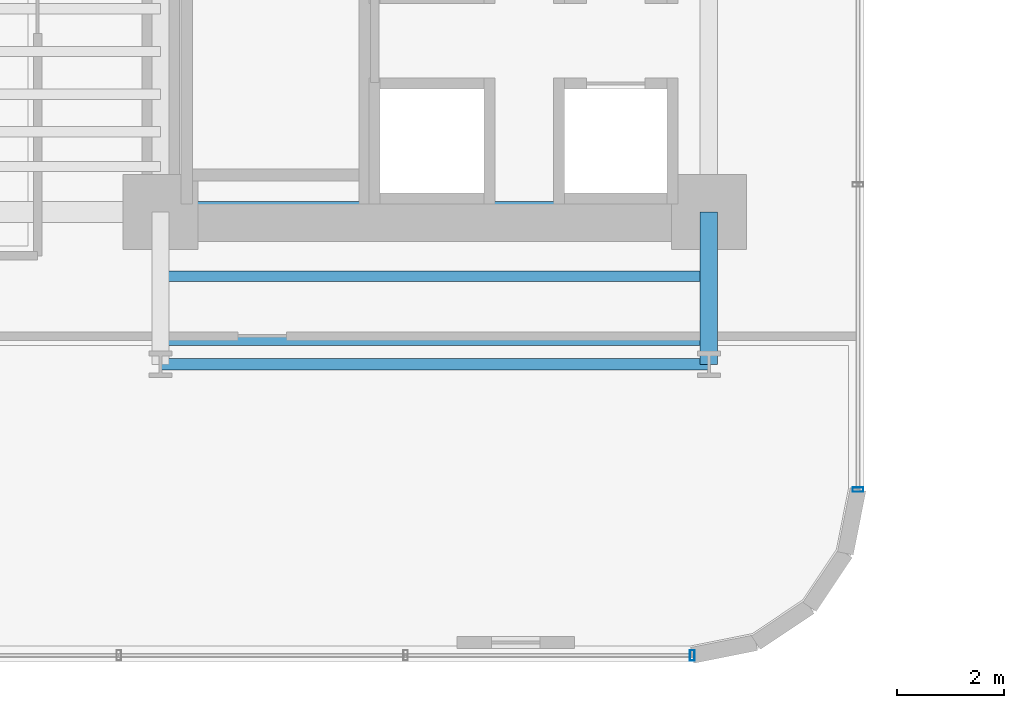
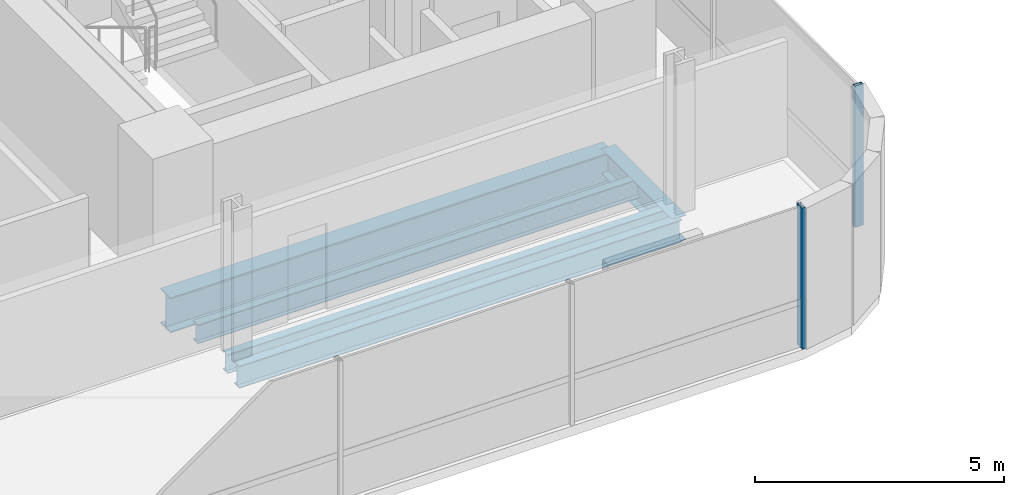
# One storey, part 5 of 40: 5 beams, 2 members, 2 elements without a shape of their own.
"""IFC4 building model written with IfcOpenShell, lengths in metres."""

from ifc_helpers import new_model, si_unit, direction, frame, origin, origin_2d, place, context, subcontext, project, spatial, hollow_rectangle, i_section, extrude, source, transform, mapped, material, material_profile, profile_set, type_object, element, aggregate, save


model = new_model("IFC4")

# Units and contexts
model_context = context("Model", 3, precision=1e-05, world=origin(), true_north=direction((0.0, 1.0)))
body_context = subcontext(model_context, "Body", "Model", "MODEL_VIEW")
ifc_project = project(units=[si_unit("LENGTHUNIT", "METRE"), si_unit("AREAUNIT", "SQUARE_METRE"), si_unit("VOLUMEUNIT", "CUBIC_METRE"), si_unit("PLANEANGLEUNIT", "RADIAN"), si_unit("MASSUNIT", "GRAM", prefix="KILO")], contexts=[model_context])

# Site, building, storey
site_placement = place(None, origin())
site = spatial("IfcSite", under=ifc_project, at=site_placement, CompositionType="ELEMENT")
building_placement = place(site_placement, origin())
building = spatial("IfcBuilding", under=site, at=building_placement, Name="Valdorenza Pilgrim Sanctuary Tower", CompositionType="ELEMENT")
storey_placement = place(building_placement, frame((0.0, 0.0, 51.89990234375)))
storey = spatial("IfcBuildingStorey", under=building, at=storey_placement, Name="L12", CompositionType="ELEMENT", Elevation=51.89990234375)

# Beams
ifc_material_1 = material(Name="Steel ASTM A992 Grade 50", Category="steel")
ifc_material_profile_1 = material_profile(ifc_material_1, i_section(OverallWidth=0.214111328125, OverallDepth=0.549072265625, WebThickness=0.0146484375, FlangeThickness=0.023681640625, at=origin_2d()), Name="W21X93")
ifc_profile_set_1 = profile_set([ifc_material_profile_1], Name="Steel ASTM A992 Grade 50")
beam_type_1 = type_object("IfcBeamType", Name="STR-BM-SPN-W21A", PredefinedType="SPANDREL", material=ifc_profile_set_1)
shared_shape_1 = source(origin(), body_context, "Body", "SweptSolid", [
    extrude(i_section(OverallWidth=0.214111328125, OverallDepth=0.549072265625, WebThickness=0.0146484375, FlangeThickness=0.023681640625, at=origin_2d()), origin(), (0.0, 0.0, 1.0), 10.25),
])
beam_1_placement = place(storey_placement, frame((-22.64990234375, -13.449951171875, -0.514404296875), z_axis=(1.0, 0.0, 0.0), x_axis=(0.0, 1.0, 0.0)))
element("IfcBeam", 1, at=beam_1_placement, inside=storey, type_object=beam_type_1, Name="L12 South Spandrel WA-S-TIE", PredefinedType="SPANDREL", context=body_context, shape_type="MappedRepresentation", body=[
    mapped(shared_shape_1, transform((0.0, 0.0, 0.0), x_axis=(1.0, 0.0, 0.0), y_axis=(0.0, 1.0, 0.0), z_axis=(0.0, 0.0, 1.0), scale=1.0)),
])
ifc_material_profile_2 = material_profile(ifc_material_1, i_section(OverallWidth=0.323974609375, OverallDepth=0.611083984375, WebThickness=0.0126953125, FlangeThickness=0.01904296875, at=origin_2d()), Name="W24X104")
ifc_profile_set_2 = profile_set([ifc_material_profile_2], Name="Steel ASTM A992 Grade 50")
beam_type_2 = type_object("IfcBeamType", Name="STR-BM-GRD-W24B", PredefinedType="BEAM", material=ifc_profile_set_2)
shared_shape_2 = source(origin(), body_context, "Body", "SweptSolid", [
    extrude(i_section(OverallWidth=0.323974609375, OverallDepth=0.611083984375, WebThickness=0.0126953125, FlangeThickness=0.01904296875, at=origin_2d()), origin(), (0.0, 0.0, 1.0), 2.849853515625),
])
beam_2_placement = place(storey_placement, frame((-12.39990234375, -13.449951171875, -0.54541015625), z_axis=(0.0, 1.0, 0.0), x_axis=(-1.0, 0.0, 0.0)))
element("IfcBeam", 2, at=beam_2_placement, inside=storey, type_object=beam_type_2, Name="L12 Floor Girder WA-S-LE", PredefinedType="BEAM", context=body_context, shape_type="MappedRepresentation", body=[
    mapped(shared_shape_2, transform((0.0, 0.0, 0.0), x_axis=(1.0, 0.0, 0.0), y_axis=(0.0, 1.0, 0.0), z_axis=(0.0, 0.0, 1.0), scale=1.0)),
])
ifc_material_profile_3 = material_profile(ifc_material_1, i_section(OverallWidth=0.193115234375, OverallDepth=0.466064453125, WebThickness=0.011474609375, FlangeThickness=0.01904296875, at=origin_2d()), Name="W18X65")
ifc_profile_set_3 = profile_set([ifc_material_profile_3], Name="Steel ASTM A992 Grade 50")
beam_type_3 = type_object("IfcBeamType", Name="STR-BM-JST-W18A", PredefinedType="JOIST", material=ifc_profile_set_3)
shared_shape_3 = source(origin(), body_context, "Body", "SweptSolid", [
    extrude(i_section(OverallWidth=0.193115234375, OverallDepth=0.466064453125, WebThickness=0.011474609375, FlangeThickness=0.01904296875, at=origin_2d()), origin(), (0.0, 0.0, 1.0), 10.25),
])
for number, where, z_axis, x_axis, name in (
    (3, (-22.64990234375, -13.0, -0.472900390625), (1.0, 0.0, 0.0), (0.0, 1.0, 0.0), "L12 Composite Floor Joist JST-WAS-1"),
    (4, (-22.64990234375, -11.800048828125, -0.472900390625), (1.0, 0.0, 0.0), (0.0, 1.0, 0.0), "L12 Composite Floor Joist JST-WAS-2"),
):
    element("IfcBeam", number, at=place(storey_placement, frame(where, z_axis=z_axis, x_axis=x_axis)), inside=storey, type_object=beam_type_3, Name=name, PredefinedType="JOIST", context=body_context, shape_type="MappedRepresentation", body=[
        mapped(shared_shape_3, transform((0.0, 0.0, 0.0), x_axis=(1.0, 0.0, 0.0), y_axis=(0.0, 1.0, 0.0), z_axis=(0.0, 0.0, 1.0), scale=1.0)),
    ])
ifc_material_profile_4 = material_profile(ifc_material_1, i_section(OverallWidth=0.39990234375, OverallDepth=0.862060546875, WebThickness=0.019775390625, FlangeThickness=0.032470703125, at=origin_2d()), Name="W33X221")
ifc_profile_set_4 = profile_set([ifc_material_profile_4], Name="Steel ASTM A992 Grade 50")
beam_type_4 = type_object("IfcBeamType", Name="STR-BM-GRD-W33", PredefinedType="BEAM", material=ifc_profile_set_4)
shared_shape_4 = source(origin(), body_context, "Body", "SweptSolid", [
    extrude(i_section(OverallWidth=0.39990234375, OverallDepth=0.862060546875, WebThickness=0.019775390625, FlangeThickness=0.032470703125, at=origin_2d()), origin(), (0.0, 0.0, 1.0), 10.25),
])
beam_3_placement = place(storey_placement, frame((-22.64990234375, -10.60009765625, -0.6708984375), z_axis=(1.0, 0.0, 0.0), x_axis=(0.0, 1.0, 0.0)))
element("IfcBeam", 5, at=beam_3_placement, inside=storey, type_object=beam_type_4, Name="L12 Floor Girder CA-XC-S1", PredefinedType="BEAM", context=body_context, shape_type="MappedRepresentation", body=[
    mapped(shared_shape_4, transform((0.0, 0.0, 0.0), x_axis=(1.0, 0.0, 0.0), y_axis=(0.0, 1.0, 0.0), z_axis=(0.0, 0.0, 1.0), scale=1.0)),
])

# Curtain wall, member
ifc_material_2 = material(Name="Curtain-wall IGU glazing", Category="glass")
curtain_wall_type = type_object("IfcCurtainWallType", Name="CW-SYS-02", PredefinedType="NOTDEFINED", material=ifc_material_2)
curtain_wall_1_placement = place(storey_placement, origin())
curtain_wall_1 = element("IfcCurtainWall", 6, at=curtain_wall_1_placement, inside=storey, type_object=curtain_wall_type, Name="L12 Curtain Wall CW-L12-1-41", PredefinedType="NOTDEFINED")
ifc_material_3 = material(Name="Anodised aluminium AW-6060", Category="aluminium")
ifc_material_profile_5 = material_profile(ifc_material_3, hollow_rectangle(XDim=0.0849609375, YDim=0.199951171875, WallThickness=0.0048828125, at=origin_2d()), Name="ALU-M 200x85x5")
ifc_profile_set_5 = profile_set([ifc_material_profile_5], Name="Anodised aluminium AW-6060")
member_type = type_object("IfcMemberType", Name="CW-MUL-02", PredefinedType="MULLION", material=ifc_profile_set_5)
shared_shape_5 = source(origin(), body_context, "Body", "SweptSolid", [
    extrude(hollow_rectangle(XDim=0.0849609375, YDim=0.199951171875, WallThickness=0.0048828125, at=origin_2d()), origin(), (0.0, 0.0, 1.0), 3.460205078125),
])
member_1_placement = place(storey_placement, frame((-9.610107421875, -15.789306640625, 0.0), z_axis=(0.0, 0.0, 1.0), x_axis=(0.0, -1.0, 0.0)))
member_1 = element("IfcMember", 7, at=member_1_placement, type_object=member_type, Name="CW-L12-1-41 Mullion 5", PredefinedType="MULLION", context=body_context, shape_type="MappedRepresentation", body=[
    mapped(shared_shape_5, transform((0.0, 0.0, 0.0), x_axis=(1.0, 0.0, 0.0), y_axis=(0.0, 1.0, 0.0), z_axis=(0.0, 0.0, 1.0), scale=1.0)),
])
aggregate(curtain_wall_1, [member_1])

curtain_wall_2_placement = place(storey_placement, origin())
curtain_wall_2 = element("IfcCurtainWall", 8, at=curtain_wall_2_placement, inside=storey, type_object=curtain_wall_type, Name="L12 Curtain Wall CW-L12-1-46", PredefinedType="NOTDEFINED")
member_2_placement = place(storey_placement, frame((-12.710693359375, -18.889892578125, 0.0), z_axis=(0.0, 0.0, 1.0), x_axis=(-1.0, 0.0, 0.0)))
member_2 = element("IfcMember", 9, at=member_2_placement, type_object=member_type, Name="CW-L12-1-46 Mullion 1", PredefinedType="MULLION", context=body_context, shape_type="MappedRepresentation", body=[
    mapped(shared_shape_5, transform((0.0, 0.0, 0.0), x_axis=(1.0, 0.0, 0.0), y_axis=(0.0, 1.0, 0.0), z_axis=(0.0, 0.0, 1.0), scale=1.0)),
])
aggregate(curtain_wall_2, [member_2])

save(model, "model.ifc")
